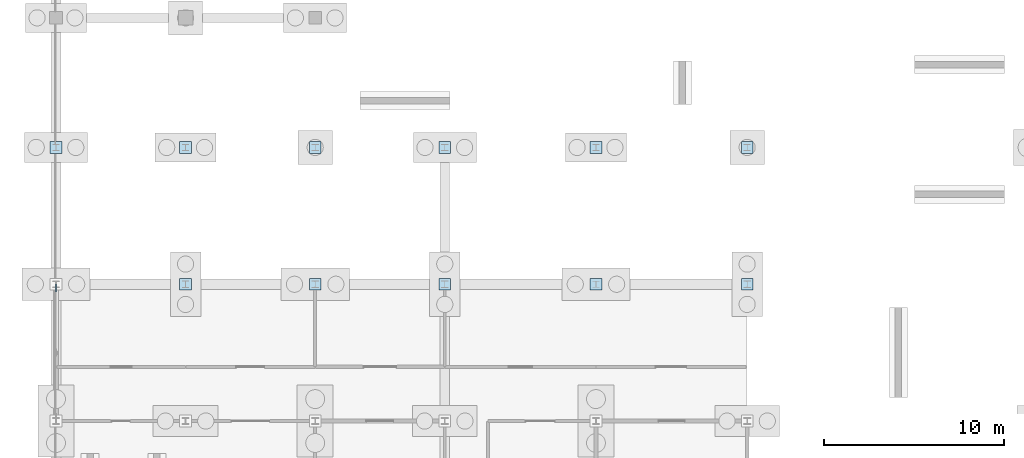
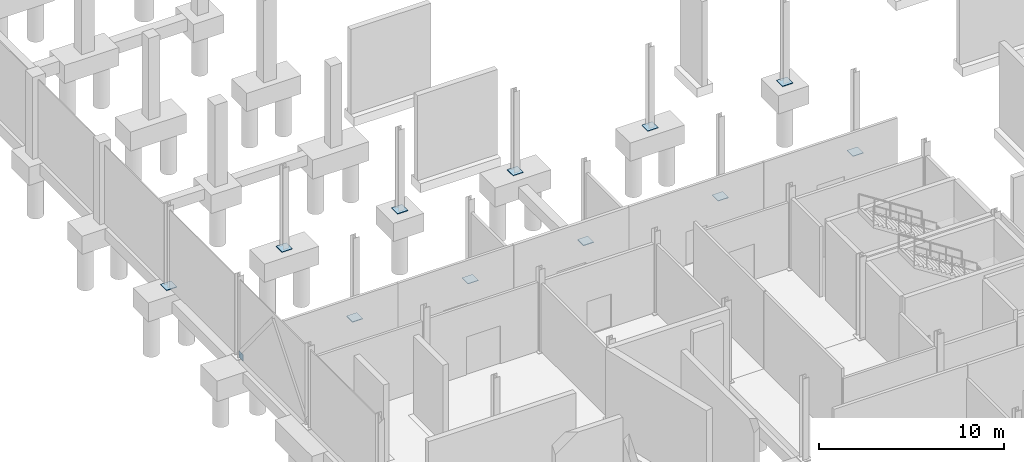
# One storey, part 37 of 61: 12 plates.
"""IFC4 building model written with IfcOpenShell, lengths in metres."""

import ifcopenshell
import ifcopenshell.guid

model = None  # the IFC model being written
_history = None  # IfcOwnerHistory: only IFC2X3 demands one
_inside = {}  # id of a spatial element -> (the spatial element, [elements in it])
_under = {}  # id of a project, library or spatial element -> (it, [spatial elements below it])
_declared = {}  # id of a project -> (the project, [libraries it declares])
_typed = {}  # id of a type object -> (the type object, [elements of that type])
_made_of = {}  # id of a material, layer set ... -> (it, [elements and type objects made of it])


def new_model(schema):
    """Start an empty IFC model of exactly this schema.

    Asked for "IFC4X3", IfcOpenShell would pick the latest addendum, in which some entities
    have other attributes; the version numbers below select the first issue.
    IFC2X3 requires an IfcOwnerHistory on every rooted entity: one is made here for all.
    """
    global model, _history
    if schema == "IFC4X3":
        model = ifcopenshell.file(schema_version=(4, 3, 0, 0))
    else:
        model = ifcopenshell.file(schema=schema)
    _inside.clear()
    _under.clear()
    _declared.clear()
    _typed.clear()
    _made_of.clear()
    _history = None
    if model.schema == "IFC2X3":
        org = make("IfcOrganization", Name="unknown")
        user = make(
            "IfcPersonAndOrganization",
            ThePerson=make("IfcPerson", FamilyName="unknown"),
            TheOrganization=org,
        )
        app = make(
            "IfcApplication",
            ApplicationDeveloper=org,
            Version="unknown",
            ApplicationFullName="unknown",
            ApplicationIdentifier="unknown",
        )
        _history = make(
            "IfcOwnerHistory",
            OwningUser=user,
            OwningApplication=app,
            ChangeAction="ADDED",
            CreationDate=0,
        )
    return model


def make(cls, **values):
    """One entity of the class cls with the attributes given. An attribute that is None is left unset."""
    return model.create_entity(
        cls, **{name: value for name, value in values.items() if value is not None}
    )


def rooted(cls, **values):
    """An entity with a GlobalId (a new one), such as an element, a storey or a relation."""
    return make(cls, GlobalId=ifcopenshell.guid.new(), OwnerHistory=_history, **values)


def si_unit(unit_type, name, prefix=None):
    """IfcSIUnit, for example si_unit("LENGTHUNIT", "METRE", prefix="MILLI")."""
    return make("IfcSIUnit", UnitType=unit_type, Prefix=prefix, Name=name)


def assignment(units):
    """IfcUnitAssignment: the units of a project."""
    return None if units is None else make("IfcUnitAssignment", Units=units)


def point(xyz):
    """IfcCartesianPoint."""
    return None if xyz is None else make("IfcCartesianPoint", Coordinates=xyz)


def direction(xyz):
    """IfcDirection."""
    return None if xyz is None else make("IfcDirection", DirectionRatios=xyz)


def frame(location, z_axis=None, x_axis=None):
    """IfcAxis2Placement3D, a coordinate frame: its origin and axes. An axis left out is left unset."""
    return make(
        "IfcAxis2Placement3D",
        Location=point(location),
        Axis=direction(z_axis),
        RefDirection=direction(x_axis),
    )


def frame_2d(location, x_axis=None):
    """IfcAxis2Placement2D, a coordinate frame in the plane: its origin and x axis."""
    return make(
        "IfcAxis2Placement2D", Location=point(location), RefDirection=direction(x_axis)
    )


def origin():
    """The frame at (0, 0, 0) with its axes left unset."""
    return frame((0.0, 0.0, 0.0))


def origin_2d():
    """The frame at (0, 0) in the plane with its x axis left unset."""
    return frame_2d((0.0, 0.0))


def place(relative_to, where):
    """IfcLocalPlacement: puts the frame where relative to a parent placement (None: the world)."""
    return make(
        "IfcLocalPlacement", PlacementRelTo=relative_to, RelativePlacement=where
    )


def context(
    kind, dimensions, precision=None, world=None, true_north=None, identifier=None
):
    """IfcGeometricRepresentationContext, for example the 3D "Model" context."""
    return make(
        "IfcGeometricRepresentationContext",
        ContextIdentifier=identifier,
        ContextType=kind,
        CoordinateSpaceDimension=dimensions,
        Precision=precision,
        WorldCoordinateSystem=world,
        TrueNorth=true_north,
    )


def subcontext(parent, identifier, kind, view, scale=None):
    """IfcGeometricRepresentationSubContext, for example "Body" below "Model"."""
    return make(
        "IfcGeometricRepresentationSubContext",
        ContextIdentifier=identifier,
        ContextType=kind,
        ParentContext=parent,
        TargetScale=scale,
        TargetView=view,
    )


def project(units=None, contexts=None):
    """IfcProject with its units and contexts."""
    return rooted(
        "IfcProject",
        Name="project",
        RepresentationContexts=contexts,
        UnitsInContext=assignment(units),
    )


def spatial(cls, under=None, at=None, **own):
    """A site, building, storey or space (cls), placed at a placement, below another one or the project."""
    s = rooted(cls, ObjectPlacement=at, **own)
    if under is not None:
        _under.setdefault(under.id(), (under, []))[1].append(s)
    return s


def profile(cls, at=None, kind="AREA", **sizes):
    """A parametric profile (cls). Its sizes go by their IFC names, for example OverallWidth=200.0."""
    return make(cls, ProfileType=kind, Position=at, **sizes)


def rectangle(**sizes):
    """IfcRectangleProfileDef."""
    return profile("IfcRectangleProfileDef", **sizes)


def extrude(swept, where, along, depth):
    """IfcExtrudedAreaSolid: the profile swept, set in the frame where, extruded along a direction by depth."""
    return make(
        "IfcExtrudedAreaSolid",
        SweptArea=swept,
        Position=where,
        ExtrudedDirection=direction(along),
        Depth=depth,
    )


def shape(context_of_items, identifier, shape_type, items):
    """IfcShapeRepresentation: the items that make up one representation, for example the "Body"."""
    return make(
        "IfcShapeRepresentation",
        ContextOfItems=context_of_items,
        RepresentationIdentifier=identifier,
        RepresentationType=shape_type,
        Items=items,
    )


def material(Name=None, Category=None):
    """IfcMaterial."""
    return make("IfcMaterial", Name=Name, Category=Category)


def layer(
    of_material, thickness, ventilated=None, Name=None, Category=None, Priority=None
):
    """IfcMaterialLayer: one layer of a wall or slab, of a material (None: an air gap)."""
    return make(
        "IfcMaterialLayer",
        Material=of_material,
        LayerThickness=thickness,
        IsVentilated=ventilated,
        Name=Name,
        Category=Category,
        Priority=Priority,
    )


def layer_set(layers, Name=None):
    """IfcMaterialLayerSet."""
    return make("IfcMaterialLayerSet", MaterialLayers=layers, LayerSetName=Name)


def made_of(thing, what):
    """Note that an element or type object is made of a material, layer set ...; save() writes the relation."""
    if what is not None:
        _made_of.setdefault(what.id(), (what, []))[1].append(thing)
    return thing


def type_object(cls, material=None, **own):
    """A type object (cls), such as IfcWallType, which elements share."""
    return made_of(rooted(cls, **own), material)


def element(
    cls,
    number,
    at=None,
    inside=None,
    cuts=None,
    type_object=None,
    material=None,
    context=None,
    identifier="Body",
    shape_type=None,
    held_by="IfcProductDefinitionShape",
    body=None,
    shapes=None,
    **own,
):
    """One element of the class cls, such as IfcWall. Its Tag is "e" and its number.

    at: its placement. inside: the storey or other place that contains it. cuts: it is an
    opening in that element (IfcRelVoidsElement). A single representation is given by context,
    identifier, shape_type and body (its items); several are given by shapes. held_by: the class
    of the entity that holds the representations. save() writes the other relations.
    """
    e = rooted(cls, Tag="e%d" % number, ObjectPlacement=at, **own)
    if body is not None:
        shapes = [shape(context, identifier, shape_type, body)]
    if shapes is not None:
        e.Representation = make(held_by, Representations=shapes)
    if inside is not None:
        _inside.setdefault(inside.id(), (inside, []))[1].append(e)
    if cuts is not None:
        rooted(
            "IfcRelVoidsElement", RelatingBuildingElement=cuts, RelatedOpeningElement=e
        )
    if type_object is not None:
        _typed.setdefault(type_object.id(), (type_object, []))[1].append(e)
    return made_of(e, material)


def aggregate(whole, parts):
    """IfcRelAggregates: a whole, such as a stair, and the parts it consists of."""
    return rooted("IfcRelAggregates", RelatingObject=whole, RelatedObjects=parts)


def save(model, path):
    """Write the relations noted so far, then the file.

    IfcRelAggregates (storeys below a building ...), IfcRelContainedInSpatialStructure (elements
    in a storey), IfcRelDefinesByType, IfcRelAssociatesMaterial and IfcRelDeclares: one each for
    every whole, place, type object, material and project.
    """
    for whole, parts in _under.values():
        aggregate(whole, parts)
    for where, things in _inside.values():
        rooted(
            "IfcRelContainedInSpatialStructure",
            RelatedElements=things,
            RelatingStructure=where,
        )
    for kind, things in _typed.values():
        rooted("IfcRelDefinesByType", RelatedObjects=things, RelatingType=kind)
    for what, things in _made_of.values():
        rooted("IfcRelAssociatesMaterial", RelatedObjects=things, RelatingMaterial=what)
    for by, libraries in _declared.values():
        rooted("IfcRelDeclares", RelatingContext=by, RelatedDefinitions=libraries)
    model.write(path)


model = new_model("IFC4")

# Units and contexts
model_context = context("Model", 3, precision=1e-05, world=origin(), true_north=direction((0.0, 1.0)))
body_context = subcontext(model_context, "Body", "Model", "MODEL_VIEW")
ifc_project = project(units=[si_unit("LENGTHUNIT", "METRE"), si_unit("AREAUNIT", "SQUARE_METRE"), si_unit("VOLUMEUNIT", "CUBIC_METRE"), si_unit("PLANEANGLEUNIT", "RADIAN"), si_unit("MASSUNIT", "GRAM", prefix="KILO")], contexts=[model_context])

# Site, building, storey
site_placement = place(None, origin())
site = spatial("IfcSite", under=ifc_project, at=site_placement, CompositionType="ELEMENT")
building_placement = place(site_placement, origin())
building = spatial("IfcBuilding", under=site, at=building_placement, Name="Calvrana Isthmian Art Gallery", CompositionType="ELEMENT")
storey_placement = place(building_placement, frame((0.0, 0.0, -5.39990234375)))
storey = spatial("IfcBuildingStorey", under=building, at=storey_placement, Name="B1", CompositionType="ELEMENT", Elevation=-5.39990234375)

# Plates
ifc_material = material(Name="Steel ASTM A572 Gr 50", Category="steel")
ifc_layer_1 = layer(ifc_material, 0.0380859375, Name="Steel ASTM A572 Gr 50")
ifc_layer_set_1 = layer_set([ifc_layer_1], Name="Steel ASTM A572 Gr 50")
plate_type_1 = type_object("IfcPlateType", Name="PL-BASE-38", PredefinedType="USERDEFINED", material=ifc_layer_set_1)
for number, where, z_axis, x_axis, name in (
    (1, (0.0, 69.60009765625, -0.000244140625), (0.0, 0.0, 1.0), (1.0, 0.0, 0.0), "Base plate 01/J"),
    (2, (7.199951171875, 62.0, -0.000244140625), (0.0, 0.0, 1.0), (1.0, 0.0, 0.0), "Base plate 02/I"),
    (3, (7.199951171875, 69.60009765625, -0.000244140625), (0.0, 0.0, 1.0), (1.0, 0.0, 0.0), "Base plate 02/J"),
    (4, (14.39990234375, 62.0, -0.000244140625), (0.0, 0.0, 1.0), (1.0, 0.0, 0.0), "Base plate 03/I"),
    (5, (14.39990234375, 69.60009765625, -0.000244140625), (0.0, 0.0, 1.0), (1.0, 0.0, 0.0), "Base plate 03/J"),
    (6, (21.60009765625, 62.0, -0.000244140625), (0.0, 0.0, 1.0), (1.0, 0.0, 0.0), "Base plate 04/I"),
    (7, (21.60009765625, 69.60009765625, -0.000244140625), (0.0, 0.0, 1.0), (1.0, 0.0, 0.0), "Base plate 04/J"),
    (8, (30.0, 62.0, -0.000244140625), (0.0, 0.0, 1.0), (1.0, 0.0, 0.0), "Base plate 05/I"),
    (9, (30.0, 69.60009765625, -0.000244140625), (0.0, 0.0, 1.0), (1.0, 0.0, 0.0), "Base plate 05/J"),
    (10, (38.39990234375, 62.0, -0.000244140625), (0.0, 0.0, 1.0), (1.0, 0.0, 0.0), "Base plate 06/I"),
    (11, (38.39990234375, 69.60009765625, -0.000244140625), (0.0, 0.0, 1.0), (1.0, 0.0, 0.0), "Base plate 06/J"),
):
    element("IfcPlate", number, at=place(storey_placement, frame(where, z_axis=z_axis, x_axis=x_axis)), inside=storey, type_object=plate_type_1, Name=name, ObjectType="BASE PLATE", PredefinedType="USERDEFINED", context=body_context, shape_type="SweptSolid", body=[
        extrude(rectangle(XDim=0.64990234375, YDim=0.64990234375, at=origin_2d()), origin(), (0.0, 0.0, 1.0), 0.0380859375),
    ])
ifc_layer_2 = layer(ifc_material, 0.031982421875, Name="Steel ASTM A572 Gr 50")
ifc_layer_set_2 = layer_set([ifc_layer_2], Name="Steel ASTM A572 Gr 50")
plate_type_2 = type_object("IfcPlateType", Name="PL-GUSSET-32", PredefinedType="USERDEFINED", material=ifc_layer_set_2)
plate_placement = place(storey_placement, frame((0.0, 61.780029296875, -0.06005859375), z_axis=(0.0, 0.0, 1.0), x_axis=(1.0, 0.0, 0.0)))
element("IfcPlate", 12, at=plate_placement, inside=storey, type_object=plate_type_2, Name="Chevron brace gusset plate B1-16R", ObjectType="GUSSET PLATE", PredefinedType="USERDEFINED", context=body_context, shape_type="SweptSolid", body=[
    extrude(rectangle(XDim=0.031982421875, YDim=0.419921875, at=origin_2d()), origin(), (0.0, 0.0, 1.0), 0.419921875),
])

save(model, "model.ifc")
